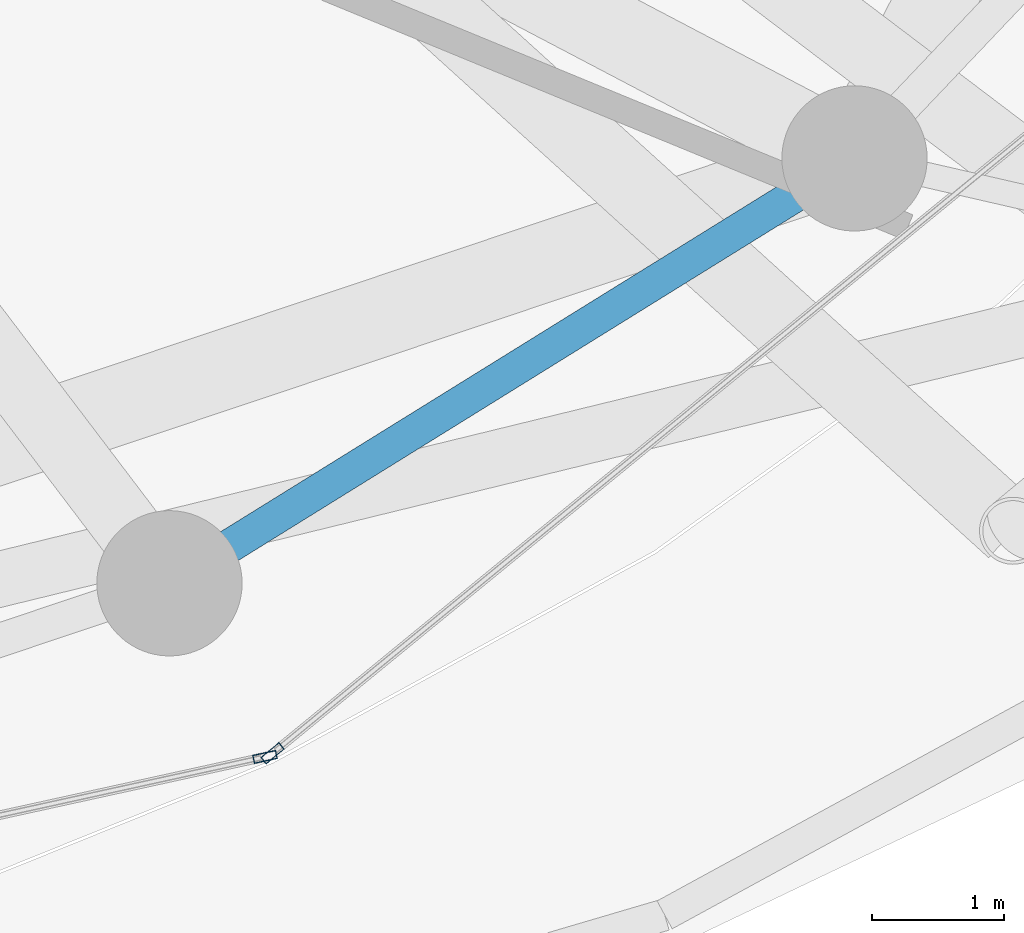
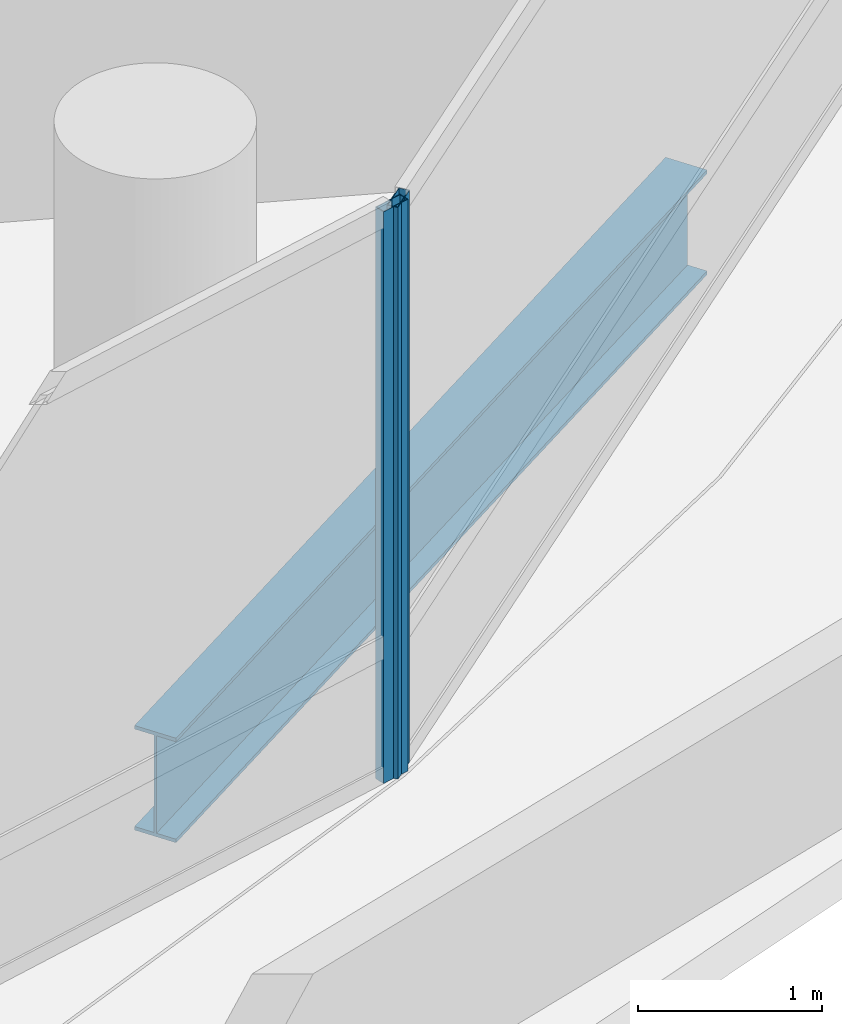
# One storey, part 12 of 37: 2 members, 1 beam, 2 elements without a shape of their own.
"""IFC4 building model written with IfcOpenShell, lengths in metres."""

from ifc_helpers import new_model, si_unit, direction, frame, origin, origin_2d, place, context, subcontext, project, spatial, hollow_rectangle, i_section, extrude, material, layer, layer_set, material_profile, profile_set, type_object, element, aggregate, save


model = new_model("IFC4")

# Units and contexts
model_context = context("Model", 3, precision=1e-05, world=origin(), true_north=direction((0.0, 1.0)))
body_context = subcontext(model_context, "Body", "Model", "MODEL_VIEW")
ifc_project = project(units=[si_unit("LENGTHUNIT", "METRE"), si_unit("AREAUNIT", "SQUARE_METRE"), si_unit("VOLUMEUNIT", "CUBIC_METRE"), si_unit("PLANEANGLEUNIT", "RADIAN"), si_unit("MASSUNIT", "GRAM", prefix="KILO")], contexts=[model_context])

# Site, building, storey
site_placement = place(None, origin())
site = spatial("IfcSite", under=ifc_project, at=site_placement, CompositionType="ELEMENT")
building_placement = place(site_placement, origin())
building = spatial("IfcBuilding", under=site, at=building_placement, Name="Nuhasar Tower", CompositionType="ELEMENT")
storey_placement = place(building_placement, frame((0.0, 0.0, 21.0)))
storey = spatial("IfcBuildingStorey", under=building, at=storey_placement, Name="L04", CompositionType="ELEMENT", Elevation=21.0)

# Beam
ifc_material_1 = material(Name="Steel S355", Category="steel")
ifc_material_profile_1 = material_profile(ifc_material_1, i_section(OverallWidth=0.256103515625, OverallDepth=0.693115234375, WebThickness=0.014404296875, FlangeThickness=0.023681640625, at=origin_2d()), Name="W27X114")
ifc_profile_set_1 = profile_set([ifc_material_profile_1], Name="Steel S355")
beam_type = type_object("IfcBeamType", Name="BM-RING-W27X114", PredefinedType="SPANDREL", material=ifc_profile_set_1)
beam_placement = place(storey_placement, frame((51.52490234375, 9.262939453125, -0.60693359375), z_axis=(0.849795216549, 0.527112976439, 0.0), x_axis=(-0.527112976439, 0.849795216549, 0.0)))
element("IfcBeam", 1, at=beam_placement, inside=storey, type_object=beam_type, Name="L04 Perimeter Ring Spandrel 21", PredefinedType="SPANDREL", context=body_context, shape_type="SweptSolid", body=[
    extrude(i_section(OverallWidth=0.256103515625, OverallDepth=0.693115234375, WebThickness=0.014404296875, FlangeThickness=0.023681640625, at=origin_2d()), origin(), (0.0, 0.0, 1.0), 6.10498046875),
])

# Curtain wall, member
ifc_material_2 = material(Name="Aluminium 6063-T6", Category="aluminium")
ifc_layer = layer(ifc_material_2, 0.199951171875)
ifc_layer_set = layer_set([ifc_layer], Name="Aluminium 6063-T6")
curtain_wall_type = type_object("IfcCurtainWallType", Name="CW-Z1-OFF", PredefinedType="NOTDEFINED", material=ifc_layer_set)
curtain_wall_1_placement = place(storey_placement, origin())
curtain_wall_1 = element("IfcCurtainWall", 2, at=curtain_wall_1_placement, inside=storey, type_object=curtain_wall_type, Name="L04 Unitised Curtain Wall 10", PredefinedType="NOTDEFINED")
ifc_material_profile_2 = material_profile(ifc_material_2, hollow_rectangle(XDim=0.06494140625, YDim=0.179931640625, WallThickness=0.0048828125, at=origin_2d()), Name="CWM-2")
ifc_profile_set_2 = profile_set([ifc_material_profile_2], Name="Aluminium 6063-T6")
member_type = type_object("IfcMemberType", Name="CW-MUL-S2", PredefinedType="MULLION", material=ifc_profile_set_2)
member_1_placement = place(storey_placement, frame((52.248291015625, 7.947998046875, 0.0), z_axis=(0.0, 0.0, 1.0), x_axis=(-0.214398737637, 0.976746221544, 0.0)))
member_1 = element("IfcMember", 3, at=member_1_placement, type_object=member_type, Name="CW-Z1 mullion 3", PredefinedType="MULLION", context=body_context, shape_type="SweptSolid", body=[
    extrude(hollow_rectangle(XDim=0.06494140625, YDim=0.179931640625, WallThickness=0.0048828125, at=origin_2d()), origin(), (0.0, 0.0, 1.0), 3.7900390625),
])
aggregate(curtain_wall_1, [member_1])

curtain_wall_2_placement = place(storey_placement, origin())
curtain_wall_2 = element("IfcCurtainWall", 4, at=curtain_wall_2_placement, inside=storey, type_object=curtain_wall_type, Name="L04 Unitised Curtain Wall 11", PredefinedType="NOTDEFINED")
member_2_placement = place(storey_placement, frame((52.30517578125, 7.9755859375, 0.0), z_axis=(0.0, 0.0, 1.0), x_axis=(-0.633744593376, 0.773542364946, 0.0)))
member_2 = element("IfcMember", 5, at=member_2_placement, type_object=member_type, Name="CW-Z1 mullion 1", PredefinedType="MULLION", context=body_context, shape_type="SweptSolid", body=[
    extrude(hollow_rectangle(XDim=0.06494140625, YDim=0.179931640625, WallThickness=0.0048828125, at=origin_2d()), origin(), (0.0, 0.0, 1.0), 3.7900390625),
])
aggregate(curtain_wall_2, [member_2])

save(model, "model.ifc")
